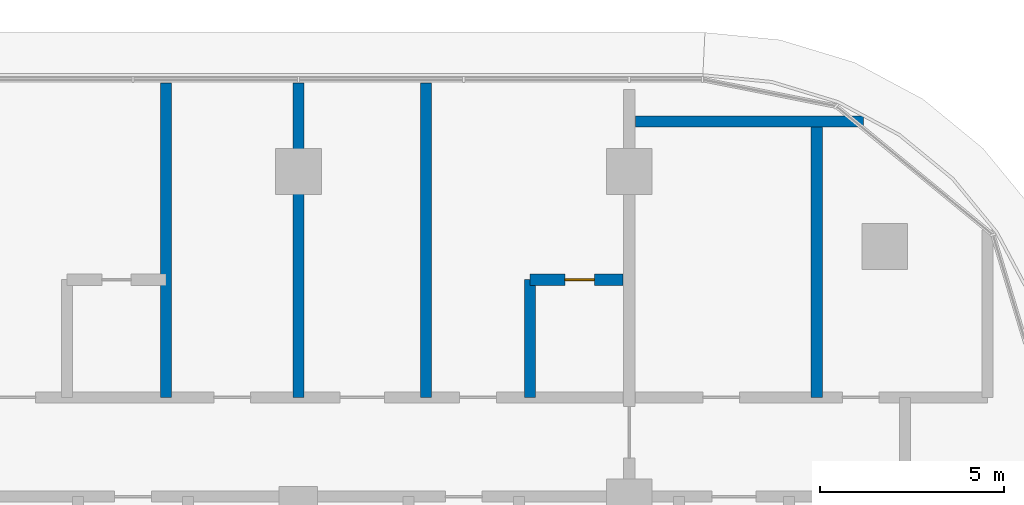
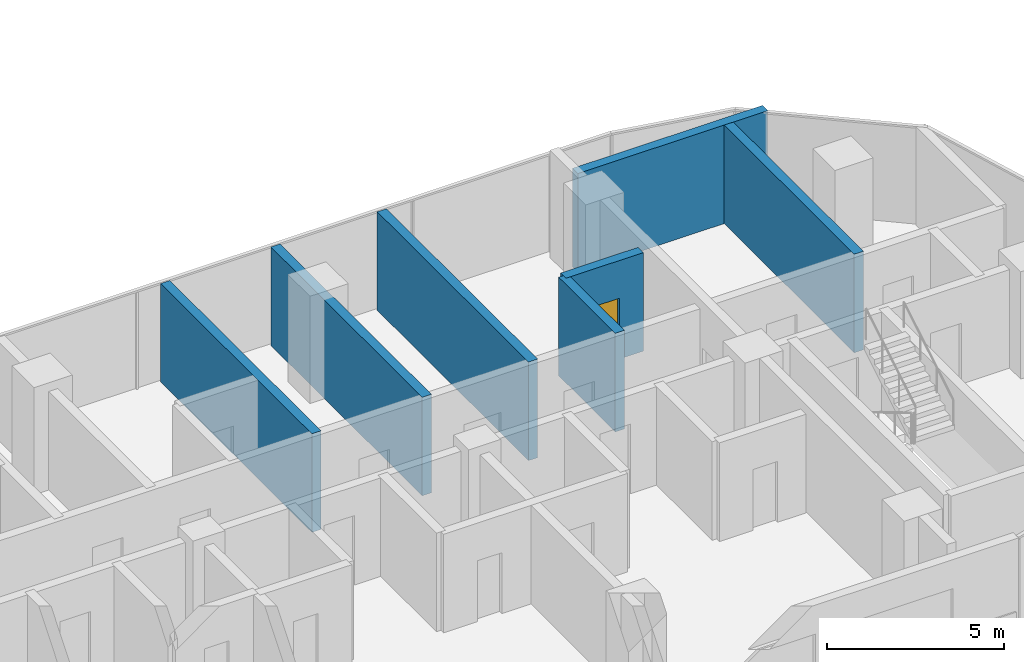
# One storey, part 13 of 25: 7 walls, 1 door, 1 opening.
"""IFC4 building model written with IfcOpenShell, lengths in metres."""

from ifc_helpers import new_model, si_unit, direction, frame, frame_2d, origin, place, context, subcontext, project, spatial, rectangle, extrude, material, layer, layer_set, type_object, element, fill, save


model = new_model("IFC4")

# Units and contexts
model_context = context("Model", 3, precision=1e-05, world=origin(), true_north=direction((0.0, 1.0)))
body_context = subcontext(model_context, "Body", "Model", "MODEL_VIEW")
ifc_project = project(units=[si_unit("LENGTHUNIT", "METRE"), si_unit("AREAUNIT", "SQUARE_METRE"), si_unit("VOLUMEUNIT", "CUBIC_METRE"), si_unit("PLANEANGLEUNIT", "RADIAN"), si_unit("MASSUNIT", "GRAM", prefix="KILO")], contexts=[model_context])

# Site, building, storey
site_placement = place(None, origin())
site = spatial("IfcSite", under=ifc_project, at=site_placement, CompositionType="ELEMENT")
building_placement = place(site_placement, origin())
building = spatial("IfcBuilding", under=site, at=building_placement, Name="Ogive Portal Towers", CompositionType="ELEMENT")
storey_placement = place(building_placement, frame((0.0, 0.0, 116.699951171875)))
storey = spatial("IfcBuildingStorey", under=building, at=storey_placement, Name="L28", CompositionType="ELEMENT", Elevation=116.699951171875)

# Wall, opening, door
ifc_material_1 = material(Name="Gypsum board partition on steel studs", Category="steel")
ifc_layer = layer(ifc_material_1, 0.300048828125)
ifc_layer_set = layer_set([ifc_layer], Name="WT-PART-300-EI 60")
wall_type = type_object("IfcWallType", Name="WT-PART-300-EI 60", PredefinedType="PARTITIONING", material=ifc_layer_set)
wall_1_placement = place(storey_placement, frame((82.800048828125, 36.550048828125, 0.0), z_axis=(0.0, 0.0, 1.0), x_axis=(1.0, 0.0, 0.0)))
wall_1 = element("IfcWall", 1, at=wall_1_placement, inside=storey, type_object=wall_type, Name="Wall L28:w012", PredefinedType="PARTITIONING", context=body_context, shape_type="SweptSolid", body=[
    extrude(rectangle(XDim=2.530029296875, YDim=0.300048828125, at=frame_2d((1.26513671875, 0.0))), origin(), (0.0, 0.0, 1.0), 3.400146484375),
])
opening_placement = place(wall_1_placement, frame((0.949951171875, 0.0, 0.0)))
opening = element("IfcOpeningElement", 2, at=opening_placement, cuts=wall_1, Name="Opening D10-039", PredefinedType="OPENING", context=body_context, shape_type="SweptSolid", body=[
    extrude(rectangle(XDim=0.800048828125, YDim=2.10009765625, at=frame_2d((0.39990234375, 1.050048828125))), frame((0.0, 0.16015625, 0.0), z_axis=(0.0, -1.0, 0.0), x_axis=(1.0, 0.0, 0.0)), (0.0, 0.0, 1.0), 0.320068359375),
])
ifc_material_2 = material(Name="Steel fire door", Category="steel")
door_type = type_object("IfcDoorType", Name="DT-BATH-800x2100-FD60S", OperationType="SINGLE_SWING_LEFT", PredefinedType="DOOR", material=ifc_material_2)
door_placement = place(opening_placement, origin())
door = element("IfcDoor", 3, at=door_placement, inside=storey, type_object=door_type, Name="Door D10-039", OperationType="SINGLE_SWING_RIGHT", OverallHeight=2.10009765625, OverallWidth=0.800048828125, PredefinedType="DOOR", context=body_context, shape_type="SweptSolid", body=[
    extrude(rectangle(XDim=0.800048828125, YDim=2.10009765625, at=frame_2d((0.39990234375, 1.050048828125))), frame((0.0, 0.02490234375, 0.0), z_axis=(0.0, -1.0, 0.0), x_axis=(1.0, 0.0, 0.0)), (0.0, 0.0, 1.0), 0.050048828125),
])
fill(opening, door)

# Walls
wall_2_placement = place(storey_placement, frame((85.669921875, 40.85009765625, 0.0), z_axis=(0.0, 0.0, 1.0), x_axis=(1.0, 0.0, 0.0)))
element("IfcWall", 4, at=wall_2_placement, inside=storey, type_object=wall_type, Name="Wall L28:w014", PredefinedType="PARTITIONING", context=body_context, shape_type="SweptSolid", body=[
    extrude(rectangle(XDim=6.2001953125, YDim=0.300048828125, at=frame_2d((3.10009765625, 0.0))), origin(), (0.0, 0.0, 1.0), 3.400146484375),
])
for number, where, z_axis, x_axis, name in (
    (5, (72.89990234375, 33.35009765625, 0.0), (0.0, 0.0, 1.0), (0.0, 1.0, 0.0), "Wall L28:w056"),
    (6, (76.5, 33.35009765625, 0.0), (0.0, 0.0, 1.0), (0.0, 1.0, 0.0), "Wall L28:w059"),
    (7, (79.969970703125, 33.35009765625, 0.0), (0.0, 0.0, 1.0), (0.0, 1.0, 0.0), "Wall L28:w061"),
):
    element("IfcWall", number, at=place(storey_placement, frame(where, z_axis=z_axis, x_axis=x_axis)), inside=storey, type_object=wall_type, Name=name, PredefinedType="PARTITIONING", context=body_context, shape_type="SweptSolid", body=[
        extrude(rectangle(XDim=8.554931640625, YDim=0.300048828125, at=frame_2d((4.27734375, 0.0))), origin(), (0.0, 0.0, 1.0), 3.400146484375),
    ])
wall_3_placement = place(storey_placement, frame((82.800048828125, 33.35009765625, 0.0), z_axis=(0.0, 0.0, 1.0), x_axis=(0.0, 1.0, 0.0)))
element("IfcWall", 8, at=wall_3_placement, inside=storey, type_object=wall_type, Name="Wall L28:w063", PredefinedType="PARTITIONING", context=body_context, shape_type="SweptSolid", body=[
    extrude(rectangle(XDim=3.199951171875, YDim=0.300048828125, at=frame_2d((1.60009765625, 0.0))), origin(), (0.0, 0.0, 1.0), 3.400146484375),
])
wall_4_placement = place(storey_placement, frame((90.60009765625, 33.35009765625, 0.0), z_axis=(0.0, 0.0, 1.0), x_axis=(0.0, 1.0, 0.0)))
element("IfcWall", 9, at=wall_4_placement, inside=storey, type_object=wall_type, Name="Wall L28:w066", PredefinedType="PARTITIONING", context=body_context, shape_type="SweptSolid", body=[
    extrude(rectangle(XDim=7.5, YDim=0.300048828125, at=frame_2d((3.75, 0.0))), origin(), (0.0, 0.0, 1.0), 3.400146484375),
])

save(model, "model.ifc")
